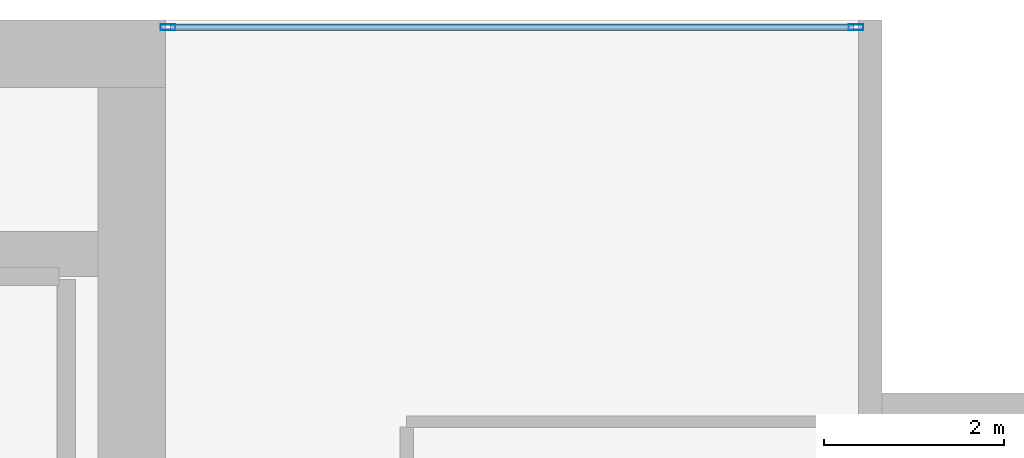
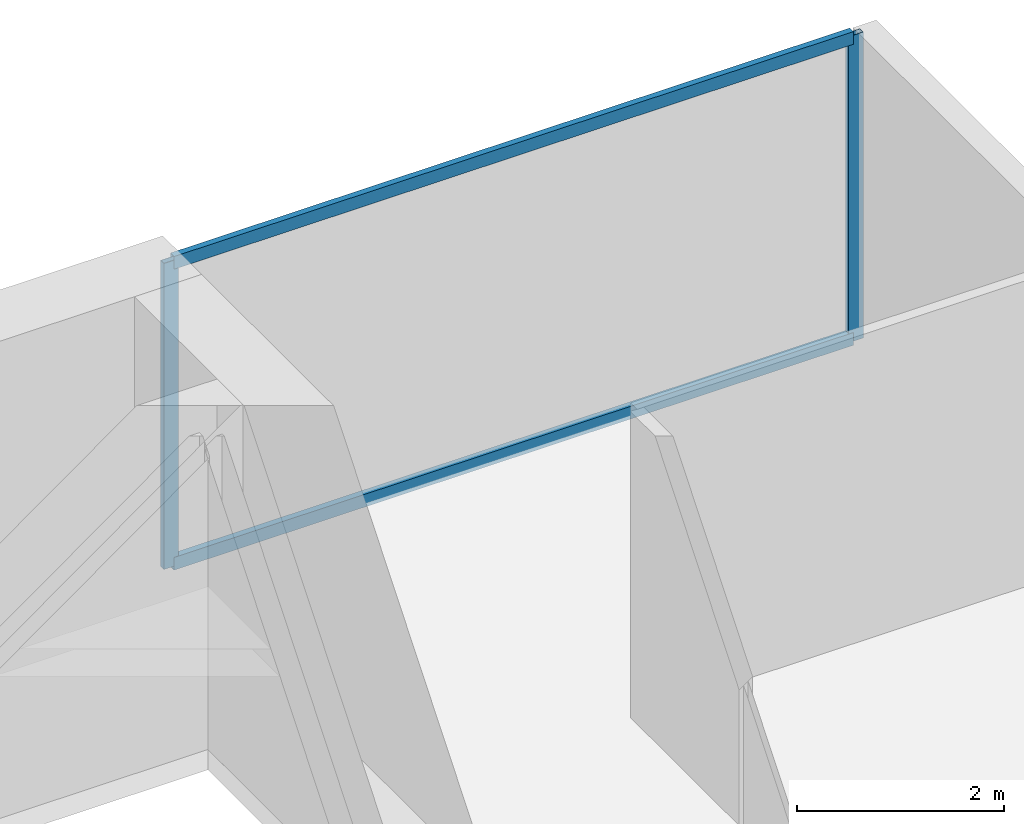
# One storey, part 25 of 34: 4 members, 1 element without a shape of its own.
"""IFC4 building model written with IfcOpenShell, lengths in metres."""

from ifc_helpers import new_model, si_unit, direction, frame, origin, origin_2d, place, context, subcontext, project, spatial, hollow_rectangle, extrude, material, layer, layer_set, material_profile, profile_set, type_object, element, aggregate, save


model = new_model("IFC4")

# Units and contexts
model_context = context("Model", 3, precision=1e-05, world=origin(), true_north=direction((0.0, 1.0)))
body_context = subcontext(model_context, "Body", "Model", "MODEL_VIEW")
ifc_project = project(units=[si_unit("LENGTHUNIT", "METRE"), si_unit("AREAUNIT", "SQUARE_METRE"), si_unit("VOLUMEUNIT", "CUBIC_METRE"), si_unit("PLANEANGLEUNIT", "RADIAN"), si_unit("MASSUNIT", "GRAM", prefix="KILO")], contexts=[model_context])

# Site, building, storey
site_placement = place(None, origin())
site = spatial("IfcSite", under=ifc_project, at=site_placement, CompositionType="ELEMENT")
building_placement = place(site_placement, origin())
building = spatial("IfcBuilding", under=site, at=building_placement, Name="Maruvema Waterfront Hotel and Observation Tower", CompositionType="ELEMENT")
storey_placement = place(building_placement, frame((0.0, 0.0, 127.39990234375)))
storey = spatial("IfcBuildingStorey", under=building, at=storey_placement, Name="L30", CompositionType="ELEMENT", Elevation=127.39990234375)

# Curtain wall, members
ifc_material_1 = material(Name="Anodised bronze aluminium and solar-control low-E IGU", Category="aluminium")
ifc_layer = layer(ifc_material_1, 0.159912109375, Name="Zone 2 Amber Inner Thermal Curtain Wall System CW-03")
ifc_layer_set = layer_set([ifc_layer], Name="Anodised bronze aluminium and solar-control low-E IGU")
curtain_wall_type = type_object("IfcCurtainWallType", Name="Zone 2 Amber Inner Thermal Curtain Wall System CW-03", PredefinedType="USERDEFINED", material=ifc_layer_set)
curtain_wall_placement = place(storey_placement, origin())
curtain_wall = element("IfcCurtainWall", 1, at=curtain_wall_placement, inside=storey, type_object=curtain_wall_type, Name="L30 Curtain Wall CW-L30-NE", ObjectType="UNITISED CURTAIN WALL", PredefinedType="USERDEFINED")
ifc_material_2 = material(Name="Anodised architectural bronze aluminium", Category="aluminium")
ifc_material_profile_1 = material_profile(ifc_material_2, hollow_rectangle(XDim=0.070068359375, YDim=0.14990234375, WallThickness=0.00390625, at=origin_2d()), Name="ALU-T70x150")
ifc_profile_set_1 = profile_set([ifc_material_profile_1], Name="Anodised architectural bronze aluminium")
member_type_1 = type_object("IfcMemberType", Name="Curtain Wall Horizontal Transom ALU-T70x150", PredefinedType="USERDEFINED", material=ifc_profile_set_1)
member_1_placement = place(storey_placement, frame((58.0400390625, 53.919921875, 0.030029296875), z_axis=(-1.0, 0.0, 0.0), x_axis=(0.0, -1.0, 0.0)))
member_1 = element("IfcMember", 2, at=member_1_placement, type_object=member_type_1, Name="CW-03 transom 1.1", ObjectType="TRANSOM", PredefinedType="USERDEFINED", context=body_context, shape_type="SweptSolid", body=[
    extrude(hollow_rectangle(XDim=0.070068359375, YDim=0.14990234375, WallThickness=0.00390625, at=origin_2d()), origin(), (0.0, 0.0, 1.0), 7.580078125),
])
member_2_placement = place(storey_placement, frame((58.0400390625, 53.919921875, 3.580078125), z_axis=(-1.0, 0.0, 0.0), x_axis=(0.0, -1.0, 0.0)))
member_2 = element("IfcMember", 3, at=member_2_placement, type_object=member_type_1, Name="CW-03 transom 1.2", ObjectType="TRANSOM", PredefinedType="USERDEFINED", context=body_context, shape_type="SweptSolid", body=[
    extrude(hollow_rectangle(XDim=0.070068359375, YDim=0.14990234375, WallThickness=0.00390625, at=origin_2d()), origin(), (0.0, 0.0, 1.0), 7.580078125),
])
ifc_material_3 = material(Name="Anodised architectural bronze aluminium", Category="aluminium")
ifc_material_profile_2 = material_profile(ifc_material_3, hollow_rectangle(XDim=0.06494140625, YDim=0.1650390625, WallThickness=0.00390625, at=origin_2d()), Name="ALU-M65x165")
ifc_profile_set_2 = profile_set([ifc_material_profile_2], Name="Anodised architectural bronze aluminium")
member_type_2 = type_object("IfcMemberType", Name="Curtain Wall Primary Mullion ALU-M65x165", PredefinedType="MULLION", material=ifc_profile_set_2)
member_3_placement = place(storey_placement, frame((58.070068359375, 53.919921875, 0.0), z_axis=(0.0, 0.0, 1.0), x_axis=(0.0, -1.0, 0.0)))
member_3 = element("IfcMember", 4, at=member_3_placement, type_object=member_type_2, Name="CW-03 mullion 1", PredefinedType="MULLION", context=body_context, shape_type="SweptSolid", body=[
    extrude(hollow_rectangle(XDim=0.06494140625, YDim=0.1650390625, WallThickness=0.00390625, at=origin_2d()), origin(), (0.0, 0.0, 1.0), 3.610107421875),
])
member_4_placement = place(storey_placement, frame((50.429931640625, 53.919921875, 0.0), z_axis=(0.0, 0.0, 1.0), x_axis=(0.0, -1.0, 0.0)))
member_4 = element("IfcMember", 5, at=member_4_placement, type_object=member_type_2, Name="CW-03 mullion 2", PredefinedType="MULLION", context=body_context, shape_type="SweptSolid", body=[
    extrude(hollow_rectangle(XDim=0.06494140625, YDim=0.1650390625, WallThickness=0.00390625, at=origin_2d()), origin(), (0.0, 0.0, 1.0), 3.610107421875),
])
aggregate(curtain_wall, [member_3, member_4, member_1, member_2])

save(model, "model.ifc")
